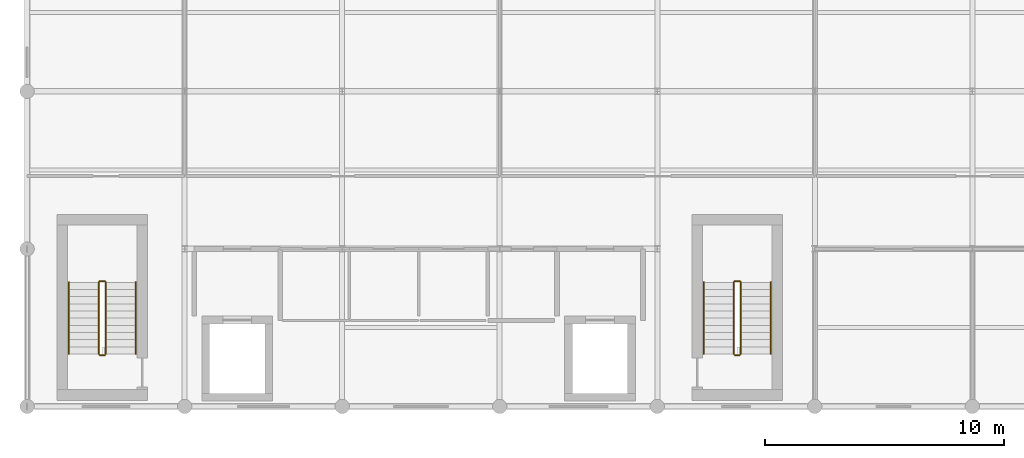
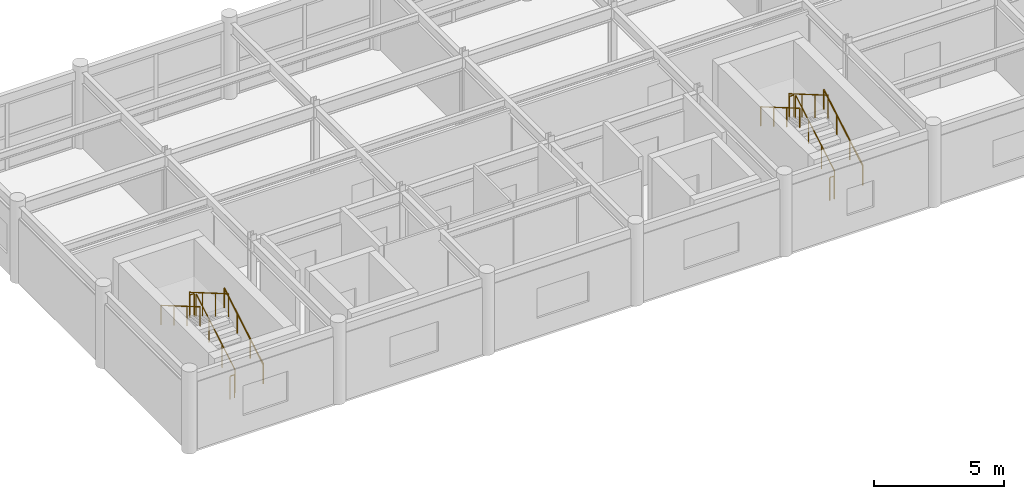
# One storey, part 17 of 17: 12 railings.
"""IFC4 building model written with IfcOpenShell, lengths in metres."""

from ifc_helpers import new_model, si_unit, direction, frame, origin, origin_2d, place, context, subcontext, project, spatial, circle, extrude, material, type_object, element, save


model = new_model("IFC4")

# Units and contexts
model_context = context("Model", 3, precision=1e-05, world=origin(), true_north=direction((0.0, 1.0)))
body_context = subcontext(model_context, "Body", "Model", "MODEL_VIEW")
ifc_project = project(units=[si_unit("LENGTHUNIT", "METRE"), si_unit("AREAUNIT", "SQUARE_METRE"), si_unit("VOLUMEUNIT", "CUBIC_METRE"), si_unit("PLANEANGLEUNIT", "RADIAN"), si_unit("MASSUNIT", "GRAM", prefix="KILO")], contexts=[model_context])

# Site, building, storey
site_placement = place(None, origin())
site = spatial("IfcSite", under=ifc_project, at=site_placement, CompositionType="ELEMENT")
building_placement = place(site_placement, origin())
building = spatial("IfcBuilding", under=site, at=building_placement, Name="Karori Crest Natural Sciences Institute", CompositionType="ELEMENT")
storey_placement = place(building_placement, frame((0.0, 0.0, 38.14990234375)))
storey = spatial("IfcBuildingStorey", under=building, at=storey_placement, Name="L09", CompositionType="ELEMENT", Elevation=38.14990234375)

# Railings
ifc_material_1 = material(Name="Stainless steel 316 tubular handrail", Category="steel")
railing_type_1 = type_object("IfcRailingType", Name="RLT-HND", PredefinedType="HANDRAIL", material=ifc_material_1)
railing_1_placement = place(storey_placement, frame((108.14990234375, 3.0, 0.175048828125)))
element("IfcRailing", 1, at=railing_1_placement, inside=storey, type_object=railing_type_1, Name="Stair handrail RL-0157", PredefinedType="HANDRAIL", context=body_context, shape_type="SweptSolid", body=[
    extrude(circle(Radius=0.02392578125, at=origin_2d()), frame((0.0, 0.0, 0.90087890625), z_axis=(0.0, 0.863778900898, 0.503871025524), x_axis=(-1.0, 0.0, 0.0)), (0.0, 0.0, 1.0), 3.47314453125),
    extrude(circle(Radius=0.02099609375, at=origin_2d()), origin(), (0.0, 0.0, 1.0), 0.876953125),
    extrude(circle(Radius=0.02099609375, at=origin_2d()), frame((0.0, 1.0, 0.583251953125)), (0.0, 0.0, 1.0), 0.876953125),
    extrude(circle(Radius=0.02099609375, at=origin_2d()), frame((0.0, 2.0, 1.166748046875)), (0.0, 0.0, 1.0), 0.876953125),
    extrude(circle(Radius=0.02099609375, at=origin_2d()), frame((0.0, 3.0, 1.75)), (0.0, 0.0, 1.0), 0.876953125),
])
railing_2_placement = place(storey_placement, frame((105.35009765625, 6.0, 2.10009765625)))
element("IfcRailing", 2, at=railing_2_placement, inside=storey, type_object=railing_type_1, Name="Stair handrail RL-0158", PredefinedType="HANDRAIL", context=body_context, shape_type="SweptSolid", body=[
    extrude(circle(Radius=0.02392578125, at=origin_2d()), frame((0.0, 0.0, 0.90087890625), z_axis=(0.0, -0.863778900898, 0.503871025524), x_axis=(1.0, 0.0, 0.0)), (0.0, 0.0, 1.0), 3.47314453125),
    extrude(circle(Radius=0.02099609375, at=origin_2d()), origin(), (0.0, 0.0, 1.0), 0.876953125),
    extrude(circle(Radius=0.02099609375, at=origin_2d()), frame((0.0, -1.0, 0.583251953125)), (0.0, 0.0, 1.0), 0.876953125),
    extrude(circle(Radius=0.02099609375, at=origin_2d()), frame((0.0, -2.0, 1.166748046875)), (0.0, 0.0, 1.0), 0.876953125),
    extrude(circle(Radius=0.02099609375, at=origin_2d()), frame((0.0, -3.0, 1.75)), (0.0, 0.0, 1.0), 0.876953125),
])
railing_3_placement = place(storey_placement, frame((134.75, 3.0, 0.175048828125)))
element("IfcRailing", 3, at=railing_3_placement, inside=storey, type_object=railing_type_1, Name="Stair handrail RL-0224", PredefinedType="HANDRAIL", context=body_context, shape_type="SweptSolid", body=[
    extrude(circle(Radius=0.02392578125, at=origin_2d()), frame((0.0, 0.0, 0.90087890625), z_axis=(0.0, 0.863778900898, 0.503871025524), x_axis=(-1.0, 0.0, 0.0)), (0.0, 0.0, 1.0), 3.47314453125),
    extrude(circle(Radius=0.02099609375, at=origin_2d()), origin(), (0.0, 0.0, 1.0), 0.876953125),
    extrude(circle(Radius=0.02099609375, at=origin_2d()), frame((0.0, 1.0, 0.583251953125)), (0.0, 0.0, 1.0), 0.876953125),
    extrude(circle(Radius=0.02099609375, at=origin_2d()), frame((0.0, 2.0, 1.166748046875)), (0.0, 0.0, 1.0), 0.876953125),
    extrude(circle(Radius=0.02099609375, at=origin_2d()), frame((0.0, 3.0, 1.75)), (0.0, 0.0, 1.0), 0.876953125),
])
railing_4_placement = place(storey_placement, frame((131.949951171875, 6.0, 2.10009765625)))
element("IfcRailing", 4, at=railing_4_placement, inside=storey, type_object=railing_type_1, Name="Stair handrail RL-0225", PredefinedType="HANDRAIL", context=body_context, shape_type="SweptSolid", body=[
    extrude(circle(Radius=0.02392578125, at=origin_2d()), frame((0.0, 0.0, 0.90087890625), z_axis=(0.0, -0.863778900898, 0.503871025524), x_axis=(1.0, 0.0, 0.0)), (0.0, 0.0, 1.0), 3.47314453125),
    extrude(circle(Radius=0.02099609375, at=origin_2d()), origin(), (0.0, 0.0, 1.0), 0.876953125),
    extrude(circle(Radius=0.02099609375, at=origin_2d()), frame((0.0, -1.0, 0.583251953125)), (0.0, 0.0, 1.0), 0.876953125),
    extrude(circle(Radius=0.02099609375, at=origin_2d()), frame((0.0, -2.0, 1.166748046875)), (0.0, 0.0, 1.0), 0.876953125),
    extrude(circle(Radius=0.02099609375, at=origin_2d()), frame((0.0, -3.0, 1.75)), (0.0, 0.0, 1.0), 0.876953125),
])
ifc_material_2 = material(Name="Stainless steel 316 stair guard", Category="steel")
railing_type_2 = type_object("IfcRailingType", Name="RLT-STG", PredefinedType="GUARDRAIL", material=ifc_material_2)
railing_5_placement = place(storey_placement, frame((106.89990234375, 3.0, 0.175048828125)))
element("IfcRailing", 5, at=railing_5_placement, inside=storey, type_object=railing_type_2, Name="Stair guard RL-0153", PredefinedType="GUARDRAIL", context=body_context, shape_type="SweptSolid", body=[
    extrude(circle(Radius=0.02392578125, at=origin_2d()), frame((0.0, 0.0, 1.076171875), z_axis=(0.0, 0.863778900898, 0.503871025524), x_axis=(-1.0, 0.0, 0.0)), (0.0, 0.0, 1.0), 3.47314453125),
    extrude(circle(Radius=0.02099609375, at=origin_2d()), origin(), (0.0, 0.0, 1.0), 1.052001953125),
    extrude(circle(Radius=0.02099609375, at=origin_2d()), frame((0.0, 1.0, 0.583251953125)), (0.0, 0.0, 1.0), 1.052001953125),
    extrude(circle(Radius=0.02099609375, at=origin_2d()), frame((0.0, 2.0, 1.166748046875)), (0.0, 0.0, 1.0), 1.052001953125),
    extrude(circle(Radius=0.02099609375, at=origin_2d()), frame((0.0, 3.0, 1.75)), (0.0, 0.0, 1.0), 1.052001953125),
])
railing_6_placement = place(storey_placement, frame((106.85009765625, 6.050048828125, 1.925048828125)))
element("IfcRailing", 6, at=railing_6_placement, inside=storey, type_object=railing_type_2, Name="Stair guard RL-0154", PredefinedType="GUARDRAIL", context=body_context, shape_type="SweptSolid", body=[
    extrude(circle(Radius=0.02392578125, at=origin_2d()), frame((0.0, 0.0, 1.076171875), z_axis=(-1.0, 0.0, 0.0), x_axis=(0.0, -1.0, 0.0)), (0.0, 0.0, 1.0), 0.2001953125),
    extrude(circle(Radius=0.02099609375, at=origin_2d()), origin(), (0.0, 0.0, 1.0), 1.052001953125),
    extrude(circle(Radius=0.02099609375, at=origin_2d()), frame((-0.2001953125, 0.0, 0.0)), (0.0, 0.0, 1.0), 1.052001953125),
])
railing_7_placement = place(storey_placement, frame((106.60009765625, 6.0, 2.10009765625)))
element("IfcRailing", 7, at=railing_7_placement, inside=storey, type_object=railing_type_2, Name="Stair guard RL-0155", PredefinedType="GUARDRAIL", context=body_context, shape_type="SweptSolid", body=[
    extrude(circle(Radius=0.02392578125, at=origin_2d()), frame((0.0, 0.0, 1.076171875), z_axis=(0.0, -0.863778900898, 0.503871025524), x_axis=(1.0, 0.0, 0.0)), (0.0, 0.0, 1.0), 3.47314453125),
    extrude(circle(Radius=0.02099609375, at=origin_2d()), origin(), (0.0, 0.0, 1.0), 1.052001953125),
    extrude(circle(Radius=0.02099609375, at=origin_2d()), frame((0.0, -1.0, 0.583251953125)), (0.0, 0.0, 1.0), 1.052001953125),
    extrude(circle(Radius=0.02099609375, at=origin_2d()), frame((0.0, -2.0, 1.166748046875)), (0.0, 0.0, 1.0), 1.052001953125),
    extrude(circle(Radius=0.02099609375, at=origin_2d()), frame((0.0, -3.0, 1.75)), (0.0, 0.0, 1.0), 1.052001953125),
])
railing_8_placement = place(storey_placement, frame((106.85009765625, 2.949951171875, 0.0)))
element("IfcRailing", 8, at=railing_8_placement, inside=storey, type_object=railing_type_2, Name="Stair guard RL-0156", PredefinedType="GUARDRAIL", context=body_context, shape_type="SweptSolid", body=[
    extrude(circle(Radius=0.02392578125, at=origin_2d()), frame((0.0, 0.0, 1.076171875), z_axis=(-1.0, 0.0, 0.0), x_axis=(0.0, -1.0, 0.0)), (0.0, 0.0, 1.0), 0.2001953125),
    extrude(circle(Radius=0.02099609375, at=origin_2d()), origin(), (0.0, 0.0, 1.0), 1.052001953125),
    extrude(circle(Radius=0.02099609375, at=origin_2d()), frame((-0.2001953125, 0.0, 0.0)), (0.0, 0.0, 1.0), 1.052001953125),
])
railing_9_placement = place(storey_placement, frame((133.5, 3.0, 0.175048828125)))
element("IfcRailing", 9, at=railing_9_placement, inside=storey, type_object=railing_type_2, Name="Stair guard RL-0220", PredefinedType="GUARDRAIL", context=body_context, shape_type="SweptSolid", body=[
    extrude(circle(Radius=0.02392578125, at=origin_2d()), frame((0.0, 0.0, 1.076171875), z_axis=(0.0, 0.863778900898, 0.503871025524), x_axis=(-1.0, 0.0, 0.0)), (0.0, 0.0, 1.0), 3.47314453125),
    extrude(circle(Radius=0.02099609375, at=origin_2d()), origin(), (0.0, 0.0, 1.0), 1.052001953125),
    extrude(circle(Radius=0.02099609375, at=origin_2d()), frame((0.0, 1.0, 0.583251953125)), (0.0, 0.0, 1.0), 1.052001953125),
    extrude(circle(Radius=0.02099609375, at=origin_2d()), frame((0.0, 2.0, 1.166748046875)), (0.0, 0.0, 1.0), 1.052001953125),
    extrude(circle(Radius=0.02099609375, at=origin_2d()), frame((0.0, 3.0, 1.75)), (0.0, 0.0, 1.0), 1.052001953125),
])
railing_10_placement = place(storey_placement, frame((133.449951171875, 6.050048828125, 1.925048828125)))
element("IfcRailing", 10, at=railing_10_placement, inside=storey, type_object=railing_type_2, Name="Stair guard RL-0221", PredefinedType="GUARDRAIL", context=body_context, shape_type="SweptSolid", body=[
    extrude(circle(Radius=0.02392578125, at=origin_2d()), frame((0.0, 0.0, 1.076171875), z_axis=(-1.0, 0.0, 0.0), x_axis=(0.0, -1.0, 0.0)), (0.0, 0.0, 1.0), 0.199951171875),
    extrude(circle(Radius=0.02099609375, at=origin_2d()), origin(), (0.0, 0.0, 1.0), 1.052001953125),
    extrude(circle(Radius=0.02099609375, at=origin_2d()), frame((-0.199951171875, 0.0, 0.0)), (0.0, 0.0, 1.0), 1.052001953125),
])
railing_11_placement = place(storey_placement, frame((133.199951171875, 6.0, 2.10009765625)))
element("IfcRailing", 11, at=railing_11_placement, inside=storey, type_object=railing_type_2, Name="Stair guard RL-0222", PredefinedType="GUARDRAIL", context=body_context, shape_type="SweptSolid", body=[
    extrude(circle(Radius=0.02392578125, at=origin_2d()), frame((0.0, 0.0, 1.076171875), z_axis=(0.0, -0.863778900898, 0.503871025524), x_axis=(1.0, 0.0, 0.0)), (0.0, 0.0, 1.0), 3.47314453125),
    extrude(circle(Radius=0.02099609375, at=origin_2d()), origin(), (0.0, 0.0, 1.0), 1.052001953125),
    extrude(circle(Radius=0.02099609375, at=origin_2d()), frame((0.0, -1.0, 0.583251953125)), (0.0, 0.0, 1.0), 1.052001953125),
    extrude(circle(Radius=0.02099609375, at=origin_2d()), frame((0.0, -2.0, 1.166748046875)), (0.0, 0.0, 1.0), 1.052001953125),
    extrude(circle(Radius=0.02099609375, at=origin_2d()), frame((0.0, -3.0, 1.75)), (0.0, 0.0, 1.0), 1.052001953125),
])
railing_12_placement = place(storey_placement, frame((133.449951171875, 2.949951171875, 0.0)))
element("IfcRailing", 12, at=railing_12_placement, inside=storey, type_object=railing_type_2, Name="Stair guard RL-0223", PredefinedType="GUARDRAIL", context=body_context, shape_type="SweptSolid", body=[
    extrude(circle(Radius=0.02392578125, at=origin_2d()), frame((0.0, 0.0, 1.076171875), z_axis=(-1.0, 0.0, 0.0), x_axis=(0.0, -1.0, 0.0)), (0.0, 0.0, 1.0), 0.199951171875),
    extrude(circle(Radius=0.02099609375, at=origin_2d()), origin(), (0.0, 0.0, 1.0), 1.052001953125),
    extrude(circle(Radius=0.02099609375, at=origin_2d()), frame((-0.199951171875, 0.0, 0.0)), (0.0, 0.0, 1.0), 1.052001953125),
])

save(model, "model.ifc")
